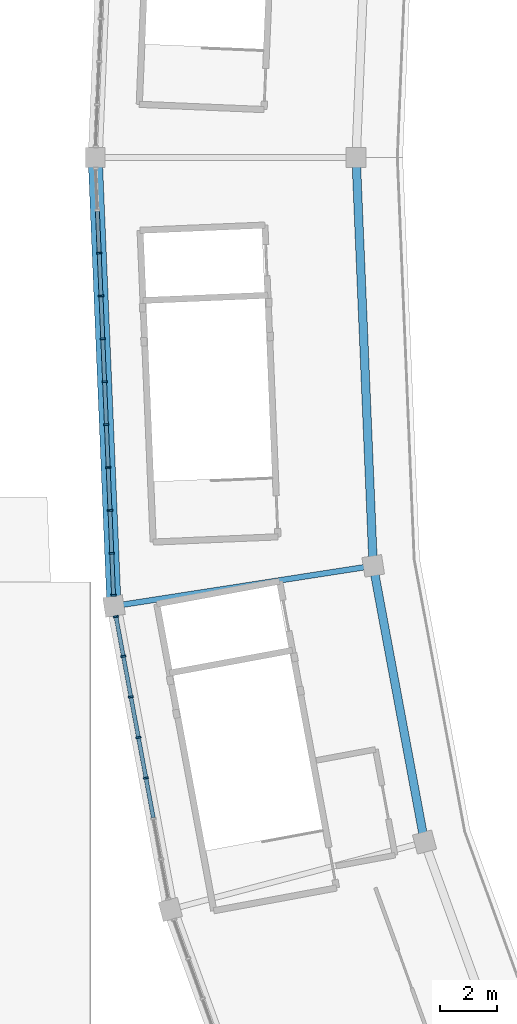
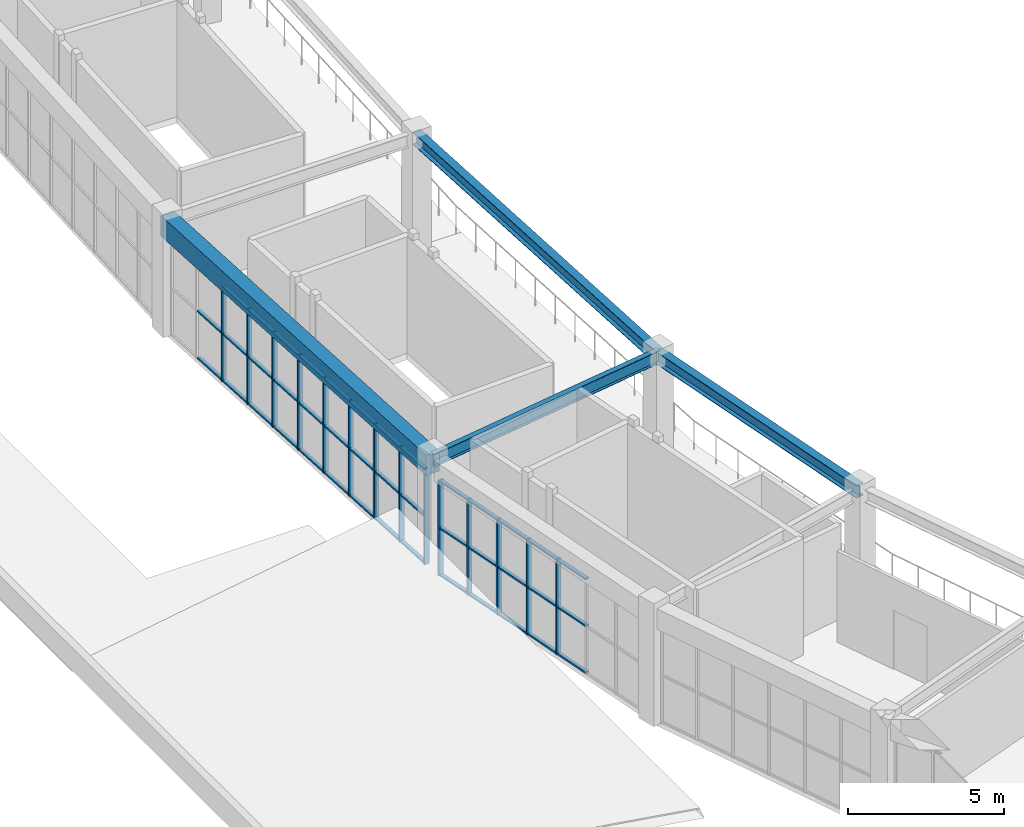
# One storey, part 19 of 45: 55 members, 4 beams, 2 elements without a shape of their own.
"""IFC4 building model written with IfcOpenShell, lengths in metres."""

from ifc_helpers import new_model, si_unit, direction, frame, origin, origin_2d, place, context, subcontext, project, spatial, rectangle, i_section, extrude, material, layer, layer_set, material_profile, profile_set, type_object, element, aggregate, save


model = new_model("IFC4")

# Units and contexts
model_context = context("Model", 3, precision=1e-05, world=origin(), true_north=direction((0.0, 1.0)))
body_context = subcontext(model_context, "Body", "Model", "MODEL_VIEW")
ifc_project = project(units=[si_unit("LENGTHUNIT", "METRE"), si_unit("AREAUNIT", "SQUARE_METRE"), si_unit("VOLUMEUNIT", "CUBIC_METRE"), si_unit("PLANEANGLEUNIT", "RADIAN"), si_unit("MASSUNIT", "GRAM", prefix="KILO")], contexts=[model_context])

# Site, building, storey
site_placement = place(None, origin())
site = spatial("IfcSite", under=ifc_project, at=site_placement, CompositionType="ELEMENT")
building_placement = place(site_placement, origin())
building = spatial("IfcBuilding", under=site, at=building_placement, Name="Mphavela Belvedere Stadium", CompositionType="ELEMENT")
storey_placement = place(building_placement, frame((0.0, 0.0, 24.0)))
storey = spatial("IfcBuildingStorey", under=building, at=storey_placement, Name="L05", CompositionType="ELEMENT", Elevation=24.0)

# Beams
ifc_material_1 = material(Name="Concrete C40/50", Category="concrete")
ifc_material_profile_1 = material_profile(ifc_material_1, rectangle(XDim=0.5, YDim=0.800048828125, at=origin_2d()), Name="RC 500x800")
ifc_profile_set_1 = profile_set([ifc_material_profile_1], Name="Concrete C40/50")
beam_type_1 = type_object("IfcBeamType", Name="BM-SPANDREL-800", PredefinedType="SPANDREL", material=ifc_profile_set_1)
beam_1_placement = place(storey_placement, frame((12.179931640625, 87.0, 4.14990234375), z_axis=(0.041903963155, -0.999121643181, 0.0), x_axis=(0.999121643181, 0.041903963155, 0.0)))
element("IfcBeam", 1, at=beam_1_placement, inside=storey, type_object=beam_type_1, Name="Circumferential girder L05 R4-25", PredefinedType="SPANDREL", context=body_context, shape_type="SweptSolid", body=[
    extrude(rectangle(XDim=0.5, YDim=0.800048828125, at=origin_2d()), origin(), (0.0, 0.0, 1.0), 15.85888671875),
])
ifc_material_2 = material(Name="Steel S355", Category="steel")
ifc_material_profile_2 = material_profile(ifc_material_2, i_section(OverallWidth=0.300048828125, OverallDepth=0.489990234375, WebThickness=0.011962890625, FlangeThickness=0.02294921875, at=origin_2d()), Name="HEA 500")
ifc_profile_set_2 = profile_set([ifc_material_profile_2], Name="Steel S355")
beam_type_2 = type_object("IfcBeamType", Name="BM-STEEL-HEA500", PredefinedType="BEAM", material=ifc_profile_set_2)
beam_2_placement = place(storey_placement, frame((21.39501953125, 87.0, 4.304931640625), z_axis=(0.041903450766, -0.99912166467, 0.0), x_axis=(0.99912166467, 0.041903450766, 0.0)))
element("IfcBeam", 2, at=beam_2_placement, inside=storey, type_object=beam_type_2, Name="Circumferential girder L05 R3-25", PredefinedType="BEAM", context=body_context, shape_type="SweptSolid", body=[
    extrude(i_section(OverallWidth=0.300048828125, OverallDepth=0.489990234375, WebThickness=0.011962890625, FlangeThickness=0.02294921875, at=origin_2d()), origin(), (0.0, 0.0, 1.0), 14.4375),
])
beam_3_placement = place(storey_placement, frame((22.0, 72.5751953125, 4.304931640625), z_axis=(0.182638056683, -0.983180217585, 0.0), x_axis=(0.983180217585, 0.182638056683, 0.0)))
element("IfcBeam", 3, at=beam_3_placement, inside=storey, type_object=beam_type_2, Name="Circumferential girder L05 R3-26", PredefinedType="BEAM", context=body_context, shape_type="SweptSolid", body=[
    extrude(i_section(OverallWidth=0.300048828125, OverallDepth=0.489990234375, WebThickness=0.011962890625, FlangeThickness=0.02294921875, at=origin_2d()), origin(), (0.0, 0.0, 1.0), 9.924072265625),
])
ifc_material_3 = material(Name="Steel S355", Category="steel")
ifc_material_profile_3 = material_profile(ifc_material_3, i_section(OverallWidth=0.199951171875, OverallDepth=0.5, WebThickness=0.01025390625, FlangeThickness=0.01611328125, at=origin_2d()), Name="IPE 500")
ifc_profile_set_3 = profile_set([ifc_material_profile_3], Name="Steel S355")
beam_type_3 = type_object("IfcBeamType", Name="BM-STEEL-IPE500", PredefinedType="BEAM", material=ifc_profile_set_3)
beam_4_placement = place(storey_placement, frame((22.0, 72.5751953125, 4.300048828125), z_axis=(-0.988182369303, -0.153282761586, 0.0), x_axis=(0.153282761586, -0.988182369303, 0.0)))
element("IfcBeam", 4, at=beam_4_placement, inside=storey, type_object=beam_type_3, Name="Radial concourse girder L05 R3R4-26", PredefinedType="BEAM", context=body_context, shape_type="SweptSolid", body=[
    extrude(i_section(OverallWidth=0.199951171875, OverallDepth=0.5, WebThickness=0.01025390625, FlangeThickness=0.01611328125, at=origin_2d()), origin(), (0.0, 0.0, 1.0), 9.264892578125),
])

# Curtain wall, members
ifc_material_4 = material(Name="Anodised bronze unitised curtain wall framing")
ifc_layer_1 = layer(ifc_material_4, 0.179931640625)
ifc_layer_set_1 = layer_set([ifc_layer_1], Name="Anodised bronze unitised curtain wall framing")
curtain_wall_type_1 = type_object("IfcCurtainWallType", Name="CW-UNIT-01", PredefinedType="USERDEFINED", material=ifc_layer_set_1)
curtain_wall_1_placement = place(storey_placement, origin())
curtain_wall_1 = element("IfcCurtainWall", 5, at=curtain_wall_1_placement, inside=storey, type_object=curtain_wall_type_1, Name="Belvedere colonnade curtain wall L05-25", ObjectType="UNITISED CURTAIN WALL", PredefinedType="USERDEFINED")
ifc_material_5 = material(Name="Anodised bronze extruded aluminium", Category="aluminium")
ifc_material_profile_4 = material_profile(ifc_material_5, rectangle(XDim=0.179931640625, YDim=0.06494140625, at=origin_2d()), Name="CW-MUL 180x65")
ifc_profile_set_4 = profile_set([ifc_material_profile_4], Name="Anodised bronze extruded aluminium")
member_type_1 = type_object("IfcMemberType", Name="CWM-180x65", PredefinedType="MULLION", material=ifc_profile_set_4)
member_1_placement = place(storey_placement, frame((12.32177734375, 83.622314453125, 0.0), z_axis=(0.0, 0.0, 1.0), x_axis=(0.999121605563, 0.041904860066, 0.0)))
member_1 = element("IfcMember", 6, at=member_1_placement, type_object=member_type_1, Name="CW-01 mullion 3", PredefinedType="MULLION", context=body_context, shape_type="SweptSolid", body=[
    extrude(rectangle(XDim=0.179931640625, YDim=0.06494140625, at=origin_2d()), origin(), (0.0, 0.0, 1.0), 3.719970703125),
])
member_2_placement = place(storey_placement, frame((12.38525390625, 82.107421875, 0.0), z_axis=(0.0, 0.0, 1.0), x_axis=(0.999121605563, 0.041904860066, 0.0)))
member_2 = element("IfcMember", 7, at=member_2_placement, type_object=member_type_1, Name="CW-01 mullion 4", PredefinedType="MULLION", context=body_context, shape_type="SweptSolid", body=[
    extrude(rectangle(XDim=0.179931640625, YDim=0.06494140625, at=origin_2d()), origin(), (0.0, 0.0, 1.0), 3.719970703125),
])
member_3_placement = place(storey_placement, frame((12.44873046875, 80.592529296875, 0.0), z_axis=(0.0, 0.0, 1.0), x_axis=(0.999121605563, 0.041904860066, 0.0)))
member_3 = element("IfcMember", 8, at=member_3_placement, type_object=member_type_1, Name="CW-01 mullion 5", PredefinedType="MULLION", context=body_context, shape_type="SweptSolid", body=[
    extrude(rectangle(XDim=0.179931640625, YDim=0.06494140625, at=origin_2d()), origin(), (0.0, 0.0, 1.0), 3.719970703125),
])
member_4_placement = place(storey_placement, frame((12.51220703125, 79.077392578125, 0.0), z_axis=(0.0, 0.0, 1.0), x_axis=(0.999121605563, 0.041904860066, 0.0)))
member_4 = element("IfcMember", 9, at=member_4_placement, type_object=member_type_1, Name="CW-01 mullion 6", PredefinedType="MULLION", context=body_context, shape_type="SweptSolid", body=[
    extrude(rectangle(XDim=0.179931640625, YDim=0.06494140625, at=origin_2d()), origin(), (0.0, 0.0, 1.0), 3.719970703125),
])
member_5_placement = place(storey_placement, frame((12.575927734375, 77.5625, 0.0), z_axis=(0.0, 0.0, 1.0), x_axis=(0.999121605563, 0.041904860066, 0.0)))
member_5 = element("IfcMember", 10, at=member_5_placement, type_object=member_type_1, Name="CW-01 mullion 7", PredefinedType="MULLION", context=body_context, shape_type="SweptSolid", body=[
    extrude(rectangle(XDim=0.179931640625, YDim=0.06494140625, at=origin_2d()), origin(), (0.0, 0.0, 1.0), 3.719970703125),
])
member_6_placement = place(storey_placement, frame((12.639404296875, 76.047607421875, 0.0), z_axis=(0.0, 0.0, 1.0), x_axis=(0.999121605563, 0.041904860066, 0.0)))
member_6 = element("IfcMember", 11, at=member_6_placement, type_object=member_type_1, Name="CW-01 mullion 8", PredefinedType="MULLION", context=body_context, shape_type="SweptSolid", body=[
    extrude(rectangle(XDim=0.179931640625, YDim=0.06494140625, at=origin_2d()), origin(), (0.0, 0.0, 1.0), 3.719970703125),
])
member_7_placement = place(storey_placement, frame((12.702880859375, 74.53271484375, 0.0), z_axis=(0.0, 0.0, 1.0), x_axis=(0.999121605563, 0.041904860066, 0.0)))
member_7 = element("IfcMember", 12, at=member_7_placement, type_object=member_type_1, Name="CW-01 mullion 9", PredefinedType="MULLION", context=body_context, shape_type="SweptSolid", body=[
    extrude(rectangle(XDim=0.179931640625, YDim=0.06494140625, at=origin_2d()), origin(), (0.0, 0.0, 1.0), 3.719970703125),
])
member_8_placement = place(storey_placement, frame((12.766357421875, 73.017578125, 0.0), z_axis=(0.0, 0.0, 1.0), x_axis=(0.999121605563, 0.041904860066, 0.0)))
member_8 = element("IfcMember", 13, at=member_8_placement, type_object=member_type_1, Name="CW-01 mullion 10", PredefinedType="MULLION", context=body_context, shape_type="SweptSolid", body=[
    extrude(rectangle(XDim=0.179931640625, YDim=0.06494140625, at=origin_2d()), origin(), (0.0, 0.0, 1.0), 3.719970703125),
])
member_9_placement = place(storey_placement, frame((12.82861328125, 71.53515625, 0.0), z_axis=(0.0, 0.0, 1.0), x_axis=(0.999121605563, 0.041904860066, 0.0)))
member_9 = element("IfcMember", 14, at=member_9_placement, type_object=member_type_1, Name="CW-01 mullion 11", PredefinedType="MULLION", context=body_context, shape_type="SweptSolid", body=[
    extrude(rectangle(XDim=0.179931640625, YDim=0.06494140625, at=origin_2d()), origin(), (0.0, 0.0, 1.0), 3.719970703125),
])

ifc_material_6 = material(Name="Anodised bronze unitised curtain wall framing")
ifc_layer_2 = layer(ifc_material_6, 0.18505859375)
ifc_layer_set_2 = layer_set([ifc_layer_2], Name="Anodised bronze unitised curtain wall framing")
curtain_wall_type_2 = type_object("IfcCurtainWallType", Name="CW-UNIT-02", PredefinedType="USERDEFINED", material=ifc_layer_set_2)
curtain_wall_2_placement = place(storey_placement, origin())
curtain_wall_2 = element("IfcCurtainWall", 15, at=curtain_wall_2_placement, inside=storey, type_object=curtain_wall_type_2, Name="Belvedere colonnade curtain wall L05-26", ObjectType="UNITISED CURTAIN WALL", PredefinedType="USERDEFINED")
member_10_placement = place(storey_placement, frame((12.9140625, 70.781005859375, 0.0), z_axis=(0.0, 0.0, 1.0), x_axis=(0.98318393569, 0.182618040183, 0.0)))
member_10 = element("IfcMember", 16, at=member_10_placement, type_object=member_type_1, Name="CW-02 mullion 1", PredefinedType="MULLION", context=body_context, shape_type="SweptSolid", body=[
    extrude(rectangle(XDim=0.179931640625, YDim=0.06494140625, at=origin_2d()), origin(), (0.0, 0.0, 1.0), 3.719970703125),
])
member_11_placement = place(storey_placement, frame((13.17431640625, 69.379638671875, 0.0), z_axis=(0.0, 0.0, 1.0), x_axis=(0.98318393569, 0.182618040183, 0.0)))
member_11 = element("IfcMember", 17, at=member_11_placement, type_object=member_type_1, Name="CW-02 mullion 2", PredefinedType="MULLION", context=body_context, shape_type="SweptSolid", body=[
    extrude(rectangle(XDim=0.179931640625, YDim=0.06494140625, at=origin_2d()), origin(), (0.0, 0.0, 1.0), 3.719970703125),
])
member_12_placement = place(storey_placement, frame((13.440673828125, 67.9462890625, 0.0), z_axis=(0.0, 0.0, 1.0), x_axis=(0.98318393569, 0.182618040183, 0.0)))
member_12 = element("IfcMember", 18, at=member_12_placement, type_object=member_type_1, Name="CW-02 mullion 3", PredefinedType="MULLION", context=body_context, shape_type="SweptSolid", body=[
    extrude(rectangle(XDim=0.179931640625, YDim=0.06494140625, at=origin_2d()), origin(), (0.0, 0.0, 1.0), 3.719970703125),
])
member_13_placement = place(storey_placement, frame((13.706787109375, 66.512939453125, 0.0), z_axis=(0.0, 0.0, 1.0), x_axis=(0.98318393569, 0.182618040183, 0.0)))
member_13 = element("IfcMember", 19, at=member_13_placement, type_object=member_type_1, Name="CW-02 mullion 4", PredefinedType="MULLION", context=body_context, shape_type="SweptSolid", body=[
    extrude(rectangle(XDim=0.179931640625, YDim=0.06494140625, at=origin_2d()), origin(), (0.0, 0.0, 1.0), 3.719970703125),
])
member_14_placement = place(storey_placement, frame((13.97314453125, 65.07958984375, 0.0), z_axis=(0.0, 0.0, 1.0), x_axis=(0.98318393569, 0.182618040183, 0.0)))
member_14 = element("IfcMember", 20, at=member_14_placement, type_object=member_type_1, Name="CW-02 mullion 5", PredefinedType="MULLION", context=body_context, shape_type="SweptSolid", body=[
    extrude(rectangle(XDim=0.179931640625, YDim=0.06494140625, at=origin_2d()), origin(), (0.0, 0.0, 1.0), 3.719970703125),
])

# Member
ifc_material_7 = material(Name="Anodised bronze extruded aluminium", Category="aluminium")
ifc_material_profile_5 = material_profile(ifc_material_7, rectangle(XDim=0.139892578125, YDim=0.06005859375, at=origin_2d()), Name="CW-TRN 140x60")
ifc_profile_set_5 = profile_set([ifc_material_profile_5], Name="Anodised bronze extruded aluminium")
member_type_2 = type_object("IfcMemberType", Name="CWT-140x60", PredefinedType="USERDEFINED", material=ifc_profile_set_5)
member_15_placement = place(storey_placement, frame((12.259521484375, 85.10498046875, 0.030029296875), z_axis=(0.041882409795, -0.999122546913, 0.0), x_axis=(0.999122546913, 0.041882409795, 0.0)))
member_15 = element("IfcMember", 21, at=member_15_placement, type_object=member_type_2, Name="CW-01 transom 2.1", ObjectType="TRANSOM", PredefinedType="USERDEFINED", context=body_context, shape_type="SweptSolid", body=[
    extrude(rectangle(XDim=0.139892578125, YDim=0.06005859375, at=origin_2d()), origin(), (0.0, 0.0, 1.0), 1.451416015625),
])

member_16_placement = place(storey_placement, frame((12.259521484375, 85.10498046875, 1.860107421875), z_axis=(0.041882409795, -0.999122546913, 0.0), x_axis=(0.999122546913, 0.041882409795, 0.0)))
member_16 = element("IfcMember", 22, at=member_16_placement, type_object=member_type_2, Name="CW-01 transom 2.2", ObjectType="TRANSOM", PredefinedType="USERDEFINED", context=body_context, shape_type="SweptSolid", body=[
    extrude(rectangle(XDim=0.139892578125, YDim=0.06005859375, at=origin_2d()), origin(), (0.0, 0.0, 1.0), 1.451416015625),
])

member_17_placement = place(storey_placement, frame((12.322998046875, 83.58984375, 0.030029296875), z_axis=(0.041889449519, -0.999122251789, 0.0), x_axis=(0.999122251789, 0.041889449519, 0.0)))
member_17 = element("IfcMember", 23, at=member_17_placement, type_object=member_type_2, Name="CW-01 transom 3.1", ObjectType="TRANSOM", PredefinedType="USERDEFINED", context=body_context, shape_type="SweptSolid", body=[
    extrude(rectangle(XDim=0.139892578125, YDim=0.06005859375, at=origin_2d()), origin(), (0.0, 0.0, 1.0), 1.451171875),
])

member_18_placement = place(storey_placement, frame((12.322998046875, 83.58984375, 1.860107421875), z_axis=(0.041889449519, -0.999122251789, 0.0), x_axis=(0.999122251789, 0.041889449519, 0.0)))
member_18 = element("IfcMember", 24, at=member_18_placement, type_object=member_type_2, Name="CW-01 transom 3.2", ObjectType="TRANSOM", PredefinedType="USERDEFINED", context=body_context, shape_type="SweptSolid", body=[
    extrude(rectangle(XDim=0.139892578125, YDim=0.06005859375, at=origin_2d()), origin(), (0.0, 0.0, 1.0), 1.451171875),
])

member_19_placement = place(storey_placement, frame((12.322998046875, 83.58984375, 3.68994140625), z_axis=(0.041889449519, -0.999122251789, 0.0), x_axis=(0.999122251789, 0.041889449519, 0.0)))
member_19 = element("IfcMember", 25, at=member_19_placement, type_object=member_type_2, Name="CW-01 transom 3.3", ObjectType="TRANSOM", PredefinedType="USERDEFINED", context=body_context, shape_type="SweptSolid", body=[
    extrude(rectangle(XDim=0.139892578125, YDim=0.06005859375, at=origin_2d()), origin(), (0.0, 0.0, 1.0), 1.451171875),
])

member_20_placement = place(storey_placement, frame((12.386474609375, 82.074951171875, 0.030029296875), z_axis=(0.042057383264, -0.999115196818, 0.0), x_axis=(0.999115196818, 0.042057383264, 0.0)))
member_20 = element("IfcMember", 26, at=member_20_placement, type_object=member_type_2, Name="CW-01 transom 4.1", ObjectType="TRANSOM", PredefinedType="USERDEFINED", context=body_context, shape_type="SweptSolid", body=[
    extrude(rectangle(XDim=0.139892578125, YDim=0.06005859375, at=origin_2d()), origin(), (0.0, 0.0, 1.0), 1.451171875),
])

member_21_placement = place(storey_placement, frame((12.386474609375, 82.074951171875, 1.860107421875), z_axis=(0.042057383264, -0.999115196818, 0.0), x_axis=(0.999115196818, 0.042057383264, 0.0)))
member_21 = element("IfcMember", 27, at=member_21_placement, type_object=member_type_2, Name="CW-01 transom 4.2", ObjectType="TRANSOM", PredefinedType="USERDEFINED", context=body_context, shape_type="SweptSolid", body=[
    extrude(rectangle(XDim=0.139892578125, YDim=0.06005859375, at=origin_2d()), origin(), (0.0, 0.0, 1.0), 1.451171875),
])

member_22_placement = place(storey_placement, frame((12.386474609375, 82.074951171875, 3.68994140625), z_axis=(0.042057383264, -0.999115196818, 0.0), x_axis=(0.999115196818, 0.042057383264, 0.0)))
member_22 = element("IfcMember", 28, at=member_22_placement, type_object=member_type_2, Name="CW-01 transom 4.3", ObjectType="TRANSOM", PredefinedType="USERDEFINED", context=body_context, shape_type="SweptSolid", body=[
    extrude(rectangle(XDim=0.139892578125, YDim=0.06005859375, at=origin_2d()), origin(), (0.0, 0.0, 1.0), 1.451171875),
])

member_23_placement = place(storey_placement, frame((12.4501953125, 80.56005859375, 0.030029296875), z_axis=(0.041882409795, -0.999122546913, 0.0), x_axis=(0.999122546913, 0.041882409795, 0.0)))
member_23 = element("IfcMember", 29, at=member_23_placement, type_object=member_type_2, Name="CW-01 transom 5.1", ObjectType="TRANSOM", PredefinedType="USERDEFINED", context=body_context, shape_type="SweptSolid", body=[
    extrude(rectangle(XDim=0.139892578125, YDim=0.06005859375, at=origin_2d()), origin(), (0.0, 0.0, 1.0), 1.451416015625),
])

member_24_placement = place(storey_placement, frame((12.4501953125, 80.56005859375, 1.860107421875), z_axis=(0.041882409795, -0.999122546913, 0.0), x_axis=(0.999122546913, 0.041882409795, 0.0)))
member_24 = element("IfcMember", 30, at=member_24_placement, type_object=member_type_2, Name="CW-01 transom 5.2", ObjectType="TRANSOM", PredefinedType="USERDEFINED", context=body_context, shape_type="SweptSolid", body=[
    extrude(rectangle(XDim=0.139892578125, YDim=0.06005859375, at=origin_2d()), origin(), (0.0, 0.0, 1.0), 1.451416015625),
])

member_25_placement = place(storey_placement, frame((12.4501953125, 80.56005859375, 3.68994140625), z_axis=(0.041882409795, -0.999122546913, 0.0), x_axis=(0.999122546913, 0.041882409795, 0.0)))
member_25 = element("IfcMember", 31, at=member_25_placement, type_object=member_type_2, Name="CW-01 transom 5.3", ObjectType="TRANSOM", PredefinedType="USERDEFINED", context=body_context, shape_type="SweptSolid", body=[
    extrude(rectangle(XDim=0.139892578125, YDim=0.06005859375, at=origin_2d()), origin(), (0.0, 0.0, 1.0), 1.451416015625),
])

member_26_placement = place(storey_placement, frame((12.513671875, 79.044921875, 0.030029296875), z_axis=(0.041889449519, -0.999122251789, 0.0), x_axis=(0.999122251789, 0.041889449519, 0.0)))
member_26 = element("IfcMember", 32, at=member_26_placement, type_object=member_type_2, Name="CW-01 transom 6.1", ObjectType="TRANSOM", PredefinedType="USERDEFINED", context=body_context, shape_type="SweptSolid", body=[
    extrude(rectangle(XDim=0.139892578125, YDim=0.06005859375, at=origin_2d()), origin(), (0.0, 0.0, 1.0), 1.451171875),
])

member_27_placement = place(storey_placement, frame((12.513671875, 79.044921875, 1.860107421875), z_axis=(0.041889449519, -0.999122251789, 0.0), x_axis=(0.999122251789, 0.041889449519, 0.0)))
member_27 = element("IfcMember", 33, at=member_27_placement, type_object=member_type_2, Name="CW-01 transom 6.2", ObjectType="TRANSOM", PredefinedType="USERDEFINED", context=body_context, shape_type="SweptSolid", body=[
    extrude(rectangle(XDim=0.139892578125, YDim=0.06005859375, at=origin_2d()), origin(), (0.0, 0.0, 1.0), 1.451171875),
])

member_28_placement = place(storey_placement, frame((12.513671875, 79.044921875, 3.68994140625), z_axis=(0.041889449519, -0.999122251789, 0.0), x_axis=(0.999122251789, 0.041889449519, 0.0)))
member_28 = element("IfcMember", 34, at=member_28_placement, type_object=member_type_2, Name="CW-01 transom 6.3", ObjectType="TRANSOM", PredefinedType="USERDEFINED", context=body_context, shape_type="SweptSolid", body=[
    extrude(rectangle(XDim=0.139892578125, YDim=0.06005859375, at=origin_2d()), origin(), (0.0, 0.0, 1.0), 1.451171875),
])

member_29_placement = place(storey_placement, frame((12.5771484375, 77.530029296875, 0.030029296875), z_axis=(0.041889449519, -0.999122251789, 0.0), x_axis=(0.999122251789, 0.041889449519, 0.0)))
member_29 = element("IfcMember", 35, at=member_29_placement, type_object=member_type_2, Name="CW-01 transom 7.1", ObjectType="TRANSOM", PredefinedType="USERDEFINED", context=body_context, shape_type="SweptSolid", body=[
    extrude(rectangle(XDim=0.139892578125, YDim=0.06005859375, at=origin_2d()), origin(), (0.0, 0.0, 1.0), 1.451171875),
])

member_30_placement = place(storey_placement, frame((12.5771484375, 77.530029296875, 1.860107421875), z_axis=(0.041889449519, -0.999122251789, 0.0), x_axis=(0.999122251789, 0.041889449519, 0.0)))
member_30 = element("IfcMember", 36, at=member_30_placement, type_object=member_type_2, Name="CW-01 transom 7.2", ObjectType="TRANSOM", PredefinedType="USERDEFINED", context=body_context, shape_type="SweptSolid", body=[
    extrude(rectangle(XDim=0.139892578125, YDim=0.06005859375, at=origin_2d()), origin(), (0.0, 0.0, 1.0), 1.451171875),
])

member_31_placement = place(storey_placement, frame((12.5771484375, 77.530029296875, 3.68994140625), z_axis=(0.041889449519, -0.999122251789, 0.0), x_axis=(0.999122251789, 0.041889449519, 0.0)))
member_31 = element("IfcMember", 37, at=member_31_placement, type_object=member_type_2, Name="CW-01 transom 7.3", ObjectType="TRANSOM", PredefinedType="USERDEFINED", context=body_context, shape_type="SweptSolid", body=[
    extrude(rectangle(XDim=0.139892578125, YDim=0.06005859375, at=origin_2d()), origin(), (0.0, 0.0, 1.0), 1.451171875),
])

member_32_placement = place(storey_placement, frame((12.640625, 76.01513671875, 0.030029296875), z_axis=(0.042057383264, -0.999115196818, 0.0), x_axis=(0.999115196818, 0.042057383264, 0.0)))
member_32 = element("IfcMember", 38, at=member_32_placement, type_object=member_type_2, Name="CW-01 transom 8.1", ObjectType="TRANSOM", PredefinedType="USERDEFINED", context=body_context, shape_type="SweptSolid", body=[
    extrude(rectangle(XDim=0.139892578125, YDim=0.06005859375, at=origin_2d()), origin(), (0.0, 0.0, 1.0), 1.451171875),
])

member_33_placement = place(storey_placement, frame((12.640625, 76.01513671875, 1.860107421875), z_axis=(0.042057383264, -0.999115196818, 0.0), x_axis=(0.999115196818, 0.042057383264, 0.0)))
member_33 = element("IfcMember", 39, at=member_33_placement, type_object=member_type_2, Name="CW-01 transom 8.2", ObjectType="TRANSOM", PredefinedType="USERDEFINED", context=body_context, shape_type="SweptSolid", body=[
    extrude(rectangle(XDim=0.139892578125, YDim=0.06005859375, at=origin_2d()), origin(), (0.0, 0.0, 1.0), 1.451171875),
])

member_34_placement = place(storey_placement, frame((12.640625, 76.01513671875, 3.68994140625), z_axis=(0.042057383264, -0.999115196818, 0.0), x_axis=(0.999115196818, 0.042057383264, 0.0)))
member_34 = element("IfcMember", 40, at=member_34_placement, type_object=member_type_2, Name="CW-01 transom 8.3", ObjectType="TRANSOM", PredefinedType="USERDEFINED", context=body_context, shape_type="SweptSolid", body=[
    extrude(rectangle(XDim=0.139892578125, YDim=0.06005859375, at=origin_2d()), origin(), (0.0, 0.0, 1.0), 1.451171875),
])

member_35_placement = place(storey_placement, frame((12.704345703125, 74.500244140625, 0.030029296875), z_axis=(0.041882409795, -0.999122546913, 0.0), x_axis=(0.999122546913, 0.041882409795, 0.0)))
member_35 = element("IfcMember", 41, at=member_35_placement, type_object=member_type_2, Name="CW-01 transom 9.1", ObjectType="TRANSOM", PredefinedType="USERDEFINED", context=body_context, shape_type="SweptSolid", body=[
    extrude(rectangle(XDim=0.139892578125, YDim=0.06005859375, at=origin_2d()), origin(), (0.0, 0.0, 1.0), 1.451416015625),
])

member_36_placement = place(storey_placement, frame((12.704345703125, 74.500244140625, 1.860107421875), z_axis=(0.041882409795, -0.999122546913, 0.0), x_axis=(0.999122546913, 0.041882409795, 0.0)))
member_36 = element("IfcMember", 42, at=member_36_placement, type_object=member_type_2, Name="CW-01 transom 9.2", ObjectType="TRANSOM", PredefinedType="USERDEFINED", context=body_context, shape_type="SweptSolid", body=[
    extrude(rectangle(XDim=0.139892578125, YDim=0.06005859375, at=origin_2d()), origin(), (0.0, 0.0, 1.0), 1.451416015625),
])

member_37_placement = place(storey_placement, frame((12.704345703125, 74.500244140625, 3.68994140625), z_axis=(0.041882409795, -0.999122546913, 0.0), x_axis=(0.999122546913, 0.041882409795, 0.0)))
member_37 = element("IfcMember", 43, at=member_37_placement, type_object=member_type_2, Name="CW-01 transom 9.3", ObjectType="TRANSOM", PredefinedType="USERDEFINED", context=body_context, shape_type="SweptSolid", body=[
    extrude(rectangle(XDim=0.139892578125, YDim=0.06005859375, at=origin_2d()), origin(), (0.0, 0.0, 1.0), 1.451416015625),
])

member_38_placement = place(storey_placement, frame((12.767822265625, 72.985107421875, 0.030029296875), z_axis=(0.041988428468, -0.999118097061, 0.0), x_axis=(0.999118097061, 0.041988428468, 0.0)))
member_38 = element("IfcMember", 44, at=member_38_placement, type_object=member_type_2, Name="CW-01 transom 10.1", ObjectType="TRANSOM", PredefinedType="USERDEFINED", context=body_context, shape_type="SweptSolid", body=[
    extrude(rectangle(XDim=0.139892578125, YDim=0.06005859375, at=origin_2d()), origin(), (0.0, 0.0, 1.0), 1.418701171875),
])

member_39_placement = place(storey_placement, frame((12.767822265625, 72.985107421875, 1.860107421875), z_axis=(0.041988428468, -0.999118097061, 0.0), x_axis=(0.999118097061, 0.041988428468, 0.0)))
member_39 = element("IfcMember", 45, at=member_39_placement, type_object=member_type_2, Name="CW-01 transom 10.2", ObjectType="TRANSOM", PredefinedType="USERDEFINED", context=body_context, shape_type="SweptSolid", body=[
    extrude(rectangle(XDim=0.139892578125, YDim=0.06005859375, at=origin_2d()), origin(), (0.0, 0.0, 1.0), 1.418701171875),
])

member_40_placement = place(storey_placement, frame((12.767822265625, 72.985107421875, 3.68994140625), z_axis=(0.041988428468, -0.999118097061, 0.0), x_axis=(0.999118097061, 0.041988428468, 0.0)))
member_40 = element("IfcMember", 46, at=member_40_placement, type_object=member_type_2, Name="CW-01 transom 10.3", ObjectType="TRANSOM", PredefinedType="USERDEFINED", context=body_context, shape_type="SweptSolid", body=[
    extrude(rectangle(XDim=0.139892578125, YDim=0.06005859375, at=origin_2d()), origin(), (0.0, 0.0, 1.0), 1.418701171875),
])

aggregate(curtain_wall_1, [member_1, member_2, member_3, member_4, member_5, member_6, member_7, member_8, member_9, member_15, member_16, member_17, member_18, member_19, member_20, member_21, member_22, member_23, member_24, member_25, member_26, member_27, member_28, member_29, member_30, member_31, member_32, member_33, member_34, member_35, member_36, member_37, member_38, member_39, member_40])

member_41_placement = place(storey_placement, frame((12.920166015625, 70.7490234375, 0.030029296875), z_axis=(0.182532708609, -0.983199781473, 0.0), x_axis=(0.983199781473, 0.182532708609, 0.0)))
member_41 = element("IfcMember", 47, at=member_41_placement, type_object=member_type_2, Name="CW-02 transom 1.1", ObjectType="TRANSOM", PredefinedType="USERDEFINED", context=body_context, shape_type="SweptSolid", body=[
    extrude(rectangle(XDim=0.139892578125, YDim=0.06005859375, at=origin_2d()), origin(), (0.0, 0.0, 1.0), 1.3603515625),
])

member_42_placement = place(storey_placement, frame((12.920166015625, 70.7490234375, 1.860107421875), z_axis=(0.182532708609, -0.983199781473, 0.0), x_axis=(0.983199781473, 0.182532708609, 0.0)))
member_42 = element("IfcMember", 48, at=member_42_placement, type_object=member_type_2, Name="CW-02 transom 1.2", ObjectType="TRANSOM", PredefinedType="USERDEFINED", context=body_context, shape_type="SweptSolid", body=[
    extrude(rectangle(XDim=0.139892578125, YDim=0.06005859375, at=origin_2d()), origin(), (0.0, 0.0, 1.0), 1.3603515625),
])

member_43_placement = place(storey_placement, frame((12.920166015625, 70.7490234375, 3.68994140625), z_axis=(0.182532708609, -0.983199781473, 0.0), x_axis=(0.983199781473, 0.182532708609, 0.0)))
member_43 = element("IfcMember", 49, at=member_43_placement, type_object=member_type_2, Name="CW-02 transom 1.3", ObjectType="TRANSOM", PredefinedType="USERDEFINED", context=body_context, shape_type="SweptSolid", body=[
    extrude(rectangle(XDim=0.139892578125, YDim=0.06005859375, at=origin_2d()), origin(), (0.0, 0.0, 1.0), 1.3603515625),
])

member_44_placement = place(storey_placement, frame((13.180419921875, 69.34765625, 0.030029296875), z_axis=(0.1826478673, -0.98317839509, 0.0), x_axis=(0.98317839509, 0.1826478673, 0.0)))
member_44 = element("IfcMember", 50, at=member_44_placement, type_object=member_type_2, Name="CW-02 transom 2.1", ObjectType="TRANSOM", PredefinedType="USERDEFINED", context=body_context, shape_type="SweptSolid", body=[
    extrude(rectangle(XDim=0.139892578125, YDim=0.06005859375, at=origin_2d()), origin(), (0.0, 0.0, 1.0), 1.392822265625),
])

member_45_placement = place(storey_placement, frame((13.180419921875, 69.34765625, 1.860107421875), z_axis=(0.1826478673, -0.98317839509, 0.0), x_axis=(0.98317839509, 0.1826478673, 0.0)))
member_45 = element("IfcMember", 51, at=member_45_placement, type_object=member_type_2, Name="CW-02 transom 2.2", ObjectType="TRANSOM", PredefinedType="USERDEFINED", context=body_context, shape_type="SweptSolid", body=[
    extrude(rectangle(XDim=0.139892578125, YDim=0.06005859375, at=origin_2d()), origin(), (0.0, 0.0, 1.0), 1.392822265625),
])

member_46_placement = place(storey_placement, frame((13.180419921875, 69.34765625, 3.68994140625), z_axis=(0.1826478673, -0.98317839509, 0.0), x_axis=(0.98317839509, 0.1826478673, 0.0)))
member_46 = element("IfcMember", 52, at=member_46_placement, type_object=member_type_2, Name="CW-02 transom 2.3", ObjectType="TRANSOM", PredefinedType="USERDEFINED", context=body_context, shape_type="SweptSolid", body=[
    extrude(rectangle(XDim=0.139892578125, YDim=0.06005859375, at=origin_2d()), origin(), (0.0, 0.0, 1.0), 1.392822265625),
])

member_47_placement = place(storey_placement, frame((13.446533203125, 67.914306640625, 0.030029296875), z_axis=(0.1826478673, -0.98317839509, 0.0), x_axis=(0.98317839509, 0.1826478673, 0.0)))
member_47 = element("IfcMember", 53, at=member_47_placement, type_object=member_type_2, Name="CW-02 transom 3.1", ObjectType="TRANSOM", PredefinedType="USERDEFINED", context=body_context, shape_type="SweptSolid", body=[
    extrude(rectangle(XDim=0.139892578125, YDim=0.06005859375, at=origin_2d()), origin(), (0.0, 0.0, 1.0), 1.392822265625),
])

member_48_placement = place(storey_placement, frame((13.446533203125, 67.914306640625, 1.860107421875), z_axis=(0.1826478673, -0.98317839509, 0.0), x_axis=(0.98317839509, 0.1826478673, 0.0)))
member_48 = element("IfcMember", 54, at=member_48_placement, type_object=member_type_2, Name="CW-02 transom 3.2", ObjectType="TRANSOM", PredefinedType="USERDEFINED", context=body_context, shape_type="SweptSolid", body=[
    extrude(rectangle(XDim=0.139892578125, YDim=0.06005859375, at=origin_2d()), origin(), (0.0, 0.0, 1.0), 1.392822265625),
])

member_49_placement = place(storey_placement, frame((13.446533203125, 67.914306640625, 3.68994140625), z_axis=(0.1826478673, -0.98317839509, 0.0), x_axis=(0.98317839509, 0.1826478673, 0.0)))
member_49 = element("IfcMember", 55, at=member_49_placement, type_object=member_type_2, Name="CW-02 transom 3.3", ObjectType="TRANSOM", PredefinedType="USERDEFINED", context=body_context, shape_type="SweptSolid", body=[
    extrude(rectangle(XDim=0.139892578125, YDim=0.06005859375, at=origin_2d()), origin(), (0.0, 0.0, 1.0), 1.392822265625),
])

member_50_placement = place(storey_placement, frame((13.712890625, 66.48095703125, 0.030029296875), z_axis=(0.1826478673, -0.98317839509, 0.0), x_axis=(0.98317839509, 0.1826478673, 0.0)))
member_50 = element("IfcMember", 56, at=member_50_placement, type_object=member_type_2, Name="CW-02 transom 4.1", ObjectType="TRANSOM", PredefinedType="USERDEFINED", context=body_context, shape_type="SweptSolid", body=[
    extrude(rectangle(XDim=0.139892578125, YDim=0.06005859375, at=origin_2d()), origin(), (0.0, 0.0, 1.0), 1.392822265625),
])

member_51_placement = place(storey_placement, frame((13.712890625, 66.48095703125, 1.860107421875), z_axis=(0.1826478673, -0.98317839509, 0.0), x_axis=(0.98317839509, 0.1826478673, 0.0)))
member_51 = element("IfcMember", 57, at=member_51_placement, type_object=member_type_2, Name="CW-02 transom 4.2", ObjectType="TRANSOM", PredefinedType="USERDEFINED", context=body_context, shape_type="SweptSolid", body=[
    extrude(rectangle(XDim=0.139892578125, YDim=0.06005859375, at=origin_2d()), origin(), (0.0, 0.0, 1.0), 1.392822265625),
])

member_52_placement = place(storey_placement, frame((13.712890625, 66.48095703125, 3.68994140625), z_axis=(0.1826478673, -0.98317839509, 0.0), x_axis=(0.98317839509, 0.1826478673, 0.0)))
member_52 = element("IfcMember", 58, at=member_52_placement, type_object=member_type_2, Name="CW-02 transom 4.3", ObjectType="TRANSOM", PredefinedType="USERDEFINED", context=body_context, shape_type="SweptSolid", body=[
    extrude(rectangle(XDim=0.139892578125, YDim=0.06005859375, at=origin_2d()), origin(), (0.0, 0.0, 1.0), 1.392822265625),
])

member_53_placement = place(storey_placement, frame((13.97900390625, 65.047607421875, 0.030029296875), z_axis=(0.1826478673, -0.98317839509, 0.0), x_axis=(0.98317839509, 0.1826478673, 0.0)))
member_53 = element("IfcMember", 59, at=member_53_placement, type_object=member_type_2, Name="CW-02 transom 5.1", ObjectType="TRANSOM", PredefinedType="USERDEFINED", context=body_context, shape_type="SweptSolid", body=[
    extrude(rectangle(XDim=0.139892578125, YDim=0.06005859375, at=origin_2d()), origin(), (0.0, 0.0, 1.0), 1.392822265625),
])

member_54_placement = place(storey_placement, frame((13.97900390625, 65.047607421875, 1.860107421875), z_axis=(0.1826478673, -0.98317839509, 0.0), x_axis=(0.98317839509, 0.1826478673, 0.0)))
member_54 = element("IfcMember", 60, at=member_54_placement, type_object=member_type_2, Name="CW-02 transom 5.2", ObjectType="TRANSOM", PredefinedType="USERDEFINED", context=body_context, shape_type="SweptSolid", body=[
    extrude(rectangle(XDim=0.139892578125, YDim=0.06005859375, at=origin_2d()), origin(), (0.0, 0.0, 1.0), 1.392822265625),
])

member_55_placement = place(storey_placement, frame((13.97900390625, 65.047607421875, 3.68994140625), z_axis=(0.1826478673, -0.98317839509, 0.0), x_axis=(0.98317839509, 0.1826478673, 0.0)))
member_55 = element("IfcMember", 61, at=member_55_placement, type_object=member_type_2, Name="CW-02 transom 5.3", ObjectType="TRANSOM", PredefinedType="USERDEFINED", context=body_context, shape_type="SweptSolid", body=[
    extrude(rectangle(XDim=0.139892578125, YDim=0.06005859375, at=origin_2d()), origin(), (0.0, 0.0, 1.0), 1.392822265625),
])

aggregate(curtain_wall_2, [member_10, member_11, member_12, member_13, member_14, member_41, member_42, member_43, member_44, member_45, member_46, member_47, member_48, member_49, member_50, member_51, member_52, member_53, member_54, member_55])

save(model, "model.ifc")
